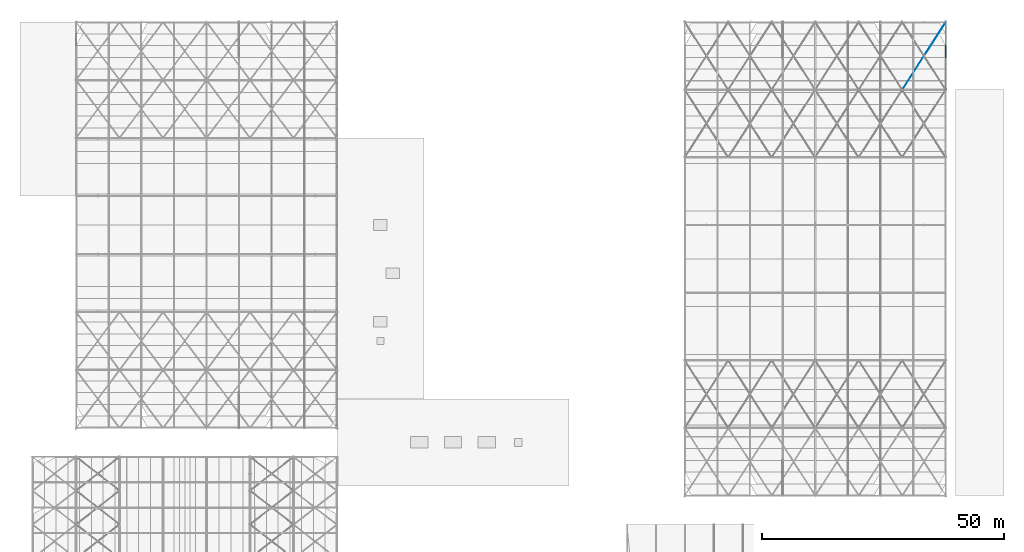
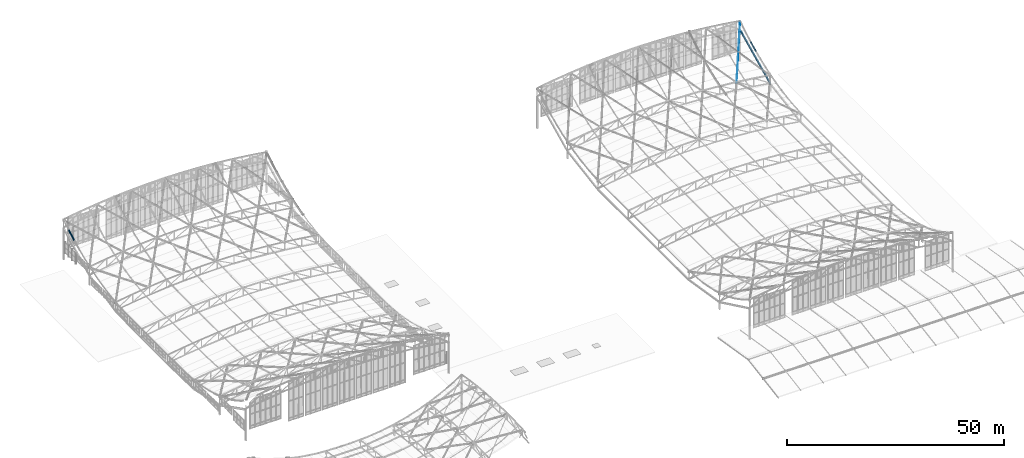
# One storey, part 185 of 262: 3 members, 1 beam.
"""IFC4 building model written with IfcOpenShell, lengths in metres."""

from ifc_helpers import new_model, si_unit, derived_unit, direction, frame, origin, origin_2d, place, context, subcontext, project, spatial, hollow_circle, i_section, extrude, material, material_profile, profile_set, type_object, element, save


model = new_model("IFC4")

# Units and contexts
model_context = context("Model", 3, precision=1e-05, world=origin(), true_north=direction((0.0, 1.0)))
body_context = subcontext(model_context, "Body", "Model", "MODEL_VIEW")
ifc_project = project(units=[si_unit("LENGTHUNIT", "METRE"), si_unit("AREAUNIT", "SQUARE_METRE"), si_unit("VOLUMEUNIT", "CUBIC_METRE"), si_unit("PLANEANGLEUNIT", "RADIAN"), si_unit("MASSUNIT", "GRAM", prefix="KILO"), derived_unit("THERMALTRANSMITTANCEUNIT", [(si_unit("POWERUNIT", "WATT"), 1), (si_unit("LENGTHUNIT", "METRE"), -2), (si_unit("THERMODYNAMICTEMPERATUREUNIT", "KELVIN"), -1)])], contexts=[model_context])

# Site, building, storey
site_placement = place(None, origin())
site = spatial("IfcSite", under=ifc_project, at=site_placement, CompositionType="ELEMENT")
building_placement = place(site_placement, origin())
building = spatial("IfcBuilding", under=site, at=building_placement, Name="Almenara Railside Exhibition Hall", CompositionType="ELEMENT")
storey_placement = place(building_placement, frame((0.0, 0.0, 21.699951171875)))
storey = spatial("IfcBuildingStorey", under=building, at=storey_placement, Name="RF", CompositionType="ELEMENT", Elevation=21.699951171875)

# Members
ifc_material = material(Name="Structural steel S355JR", Category="steel")
ifc_material_profile_1 = material_profile(ifc_material, i_section(OverallWidth=0.159912109375, OverallDepth=0.330078125, WebThickness=0.007568359375, FlangeThickness=0.011474609375, FilletRadius=0.01806640625, at=origin_2d()), Name="IPE 330")
ifc_profile_set_1 = profile_set([ifc_material_profile_1], Name="Structural steel S355JR")
member_type_1 = type_object("IfcMemberType", Name="Gable Bay Purlin IPE 330 S355JR", PredefinedType="PURLIN", material=ifc_profile_set_1)
member_1_placement = place(storey_placement, frame((192.0, 124.68994140625, -2.42626953125), z_axis=(0.0, 0.895376074457, 0.445310773831), x_axis=(-1.0, 0.0, 0.0)))
element("IfcMember", 1, at=member_1_placement, inside=storey, type_object=member_type_1, Name="MEM-PR-V2-PR-IPE330-08-25", PredefinedType="PURLIN", context=body_context, shape_type="SweptSolid", body=[
    extrude(i_section(OverallWidth=0.159912109375, OverallDepth=0.330078125, WebThickness=0.007568359375, FlangeThickness=0.011474609375, FilletRadius=0.01806640625, at=origin_2d()), origin(), (0.0, 0.0, 1.0), 2.721435546875),
])
ifc_material_profile_2 = material_profile(ifc_material, hollow_circle(Radius=0.0380859375, WallThickness=0.003662109375, at=origin_2d()), Name="CHS 76.1x3.6")
ifc_profile_set_2 = profile_set([ifc_material_profile_2], Name="Structural steel S355JR")
member_type_2 = type_object("IfcMemberType", Name="Lantern Cross-Tie Brace CHS 76.1x3.6 S355JR", PredefinedType="BRACE", material=ifc_profile_set_2)
member_2_placement = place(storey_placement, frame((183.0, 118.0, -4.07421875), z_axis=(0.513499706441, 0.79877732113, 0.313484996025), x_axis=(-0.841178475377, 0.540757591313, 0.0)))
element("IfcMember", 2, at=member_2_placement, inside=storey, type_object=member_type_2, Name="MEM-WB-V2-WB-CHS76-06-10-C", PredefinedType="BRACE", context=body_context, shape_type="SweptSolid", body=[
    extrude(hollow_circle(Radius=0.0380859375, WallThickness=0.003662109375, at=origin_2d()), origin(), (0.0, 0.0, 1.0), 17.52685546875),
])
ifc_material_profile_3 = material_profile(ifc_material, i_section(OverallWidth=0.169921875, OverallDepth=0.360107421875, WebThickness=0.008056640625, FlangeThickness=0.0126953125, FilletRadius=0.01806640625, at=origin_2d()), Name="IPE 360")
ifc_profile_set_3 = profile_set([ifc_material_profile_3], Name="Structural steel S355JR")
member_type_3 = type_object("IfcMemberType", Name="Long-Span Scroll Purlin IPE 360 S355JR", PredefinedType="PURLIN", material=ifc_profile_set_3)
member_3_placement = place(storey_placement, frame((12.0, 127.126708984375, 5.9736328125), z_axis=(0.0, 0.870483227181, 0.492198081261), x_axis=(-1.0, 0.0, 0.0)))
element("IfcMember", 3, at=member_3_placement, inside=storey, type_object=member_type_3, Name="MEM-PR-V1-PR-IPE360-00-26", PredefinedType="PURLIN", context=body_context, shape_type="SweptSolid", body=[
    extrude(i_section(OverallWidth=0.169921875, OverallDepth=0.360107421875, WebThickness=0.008056640625, FlangeThickness=0.0126953125, FilletRadius=0.01806640625, at=origin_2d()), origin(), (0.0, 0.0, 1.0), 2.799072265625),
])

# Beam
ifc_material_profile_4 = material_profile(ifc_material, i_section(OverallWidth=0.300048828125, OverallDepth=0.449951171875, WebThickness=0.013916015625, FlangeThickness=0.02587890625, FilletRadius=0.027099609375, at=origin_2d()), Name="HEB 450")
ifc_profile_set_4 = profile_set([ifc_material_profile_4], Name="Structural steel S355JR")
beam_type = type_object("IfcBeamType", Name="Steel Roof Eaves Tie Girder HEB 450 S355JR", PredefinedType="USERDEFINED", material=ifc_profile_set_4)
beam_placement = place(storey_placement, frame((192.0, 118.0, -7.54150390625), z_axis=(0.0, 0.901609647844, 0.432550624683), x_axis=(-1.0, 0.0, 0.0)))
element("IfcBeam", 4, at=beam_placement, inside=storey, type_object=beam_type, Name="Beam 0988", ObjectType="GIRDER", PredefinedType="USERDEFINED", context=body_context, shape_type="SweptSolid", body=[
    extrude(i_section(OverallWidth=0.300048828125, OverallDepth=0.449951171875, WebThickness=0.013916015625, FlangeThickness=0.02587890625, FilletRadius=0.027099609375, at=origin_2d()), origin(), (0.0, 0.0, 1.0), 15.52783203125),
])

save(model, "model.ifc")
